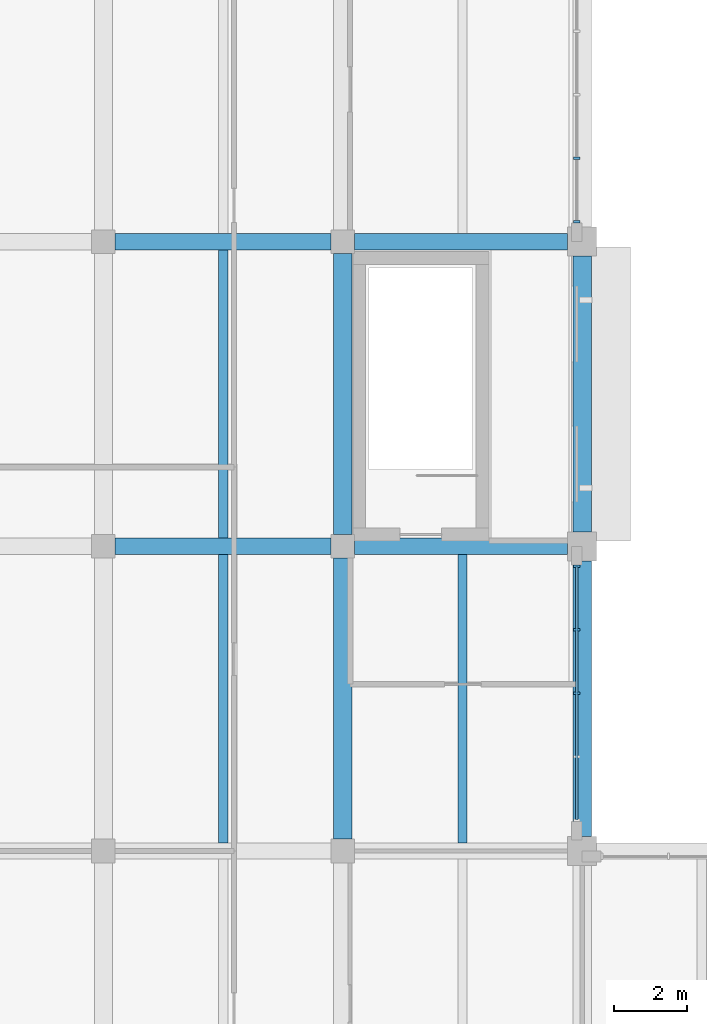
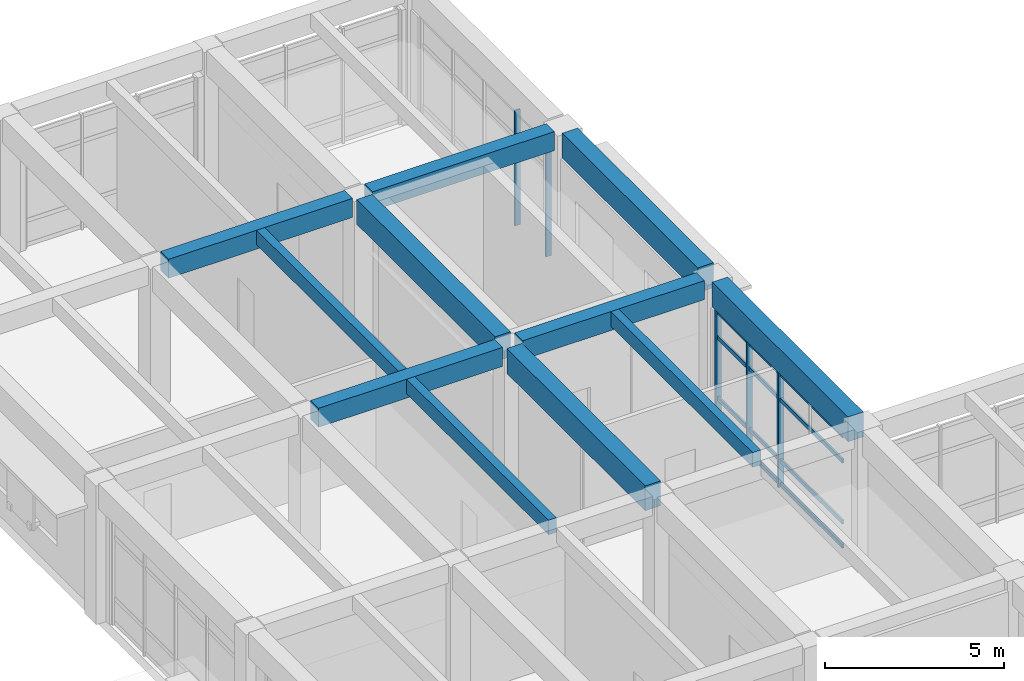
# One storey, part 30 of 79: 11 beams, 9 members, 2 elements without a shape of their own.
"""IFC4 building model written with IfcOpenShell, lengths in metres."""

from ifc_helpers import new_model, si_unit, direction, frame, origin, origin_2d, place, context, subcontext, project, spatial, rectangle, extrude, material, layer, layer_set, material_profile, profile_set, type_object, element, aggregate, save


model = new_model("IFC4")

# Units and contexts
model_context = context("Model", 3, precision=1e-05, world=origin(), true_north=direction((0.0, 1.0)))
body_context = subcontext(model_context, "Body", "Model", "MODEL_VIEW")
ifc_project = project(units=[si_unit("LENGTHUNIT", "METRE"), si_unit("AREAUNIT", "SQUARE_METRE"), si_unit("VOLUMEUNIT", "CUBIC_METRE"), si_unit("PLANEANGLEUNIT", "RADIAN"), si_unit("MASSUNIT", "GRAM", prefix="KILO")], contexts=[model_context])

# Site, building, storey
site_placement = place(None, origin())
site = spatial("IfcSite", under=ifc_project, at=site_placement, CompositionType="ELEMENT")
building_placement = place(site_placement, origin())
building = spatial("IfcBuilding", under=site, at=building_placement, Name="Kolvaren Faculty of Natural Sciences", CompositionType="ELEMENT")
storey_placement = place(building_placement, frame((0.0, 0.0, 10.199951171875)))
storey = spatial("IfcBuildingStorey", under=building, at=storey_placement, Name="L02", CompositionType="ELEMENT", Elevation=10.199951171875)

# Curtain wall, members
ifc_material_1 = material(Name="Thermally broken anodised aluminium framing", Category="aluminium")
ifc_layer = layer(ifc_material_1, 0.179931640625)
ifc_layer_set = layer_set([ifc_layer], Name="Thermally broken anodised aluminium framing")
curtain_wall_type = type_object("IfcCurtainWallType", Name="TowerNorthCurtainWall_CW03", PredefinedType="NOTDEFINED", material=ifc_layer_set)
curtain_wall_1_placement = place(storey_placement, origin())
curtain_wall_1 = element("IfcCurtainWall", 1, at=curtain_wall_1_placement, inside=storey, type_object=curtain_wall_type, Name="L02 unitised curtain wall CW-03 (CW-L02-095)", PredefinedType="NOTDEFINED")
ifc_material_profile_1 = material_profile(ifc_material_1, rectangle(XDim=0.06005859375, YDim=0.179931640625, at=origin_2d()), Name="ALU MUL 60x180")
ifc_profile_set_1 = profile_set([ifc_material_profile_1], Name="Thermally broken anodised aluminium framing")
member_type_1 = type_object("IfcMemberType", Name="CurtainMullion_60x180", PredefinedType="MULLION", material=ifc_profile_set_1)
member_1_placement = place(storey_placement, frame((138.64990234375, 103.300048828125, 0.0), z_axis=(0.0, 0.0, 1.0), x_axis=(0.0, -1.0, 0.0)))
member_1 = element("IfcMember", 2, at=member_1_placement, type_object=member_type_1, Name="CW-L02-095 vertical mullion 4", PredefinedType="MULLION", context=body_context, shape_type="SweptSolid", body=[
    extrude(rectangle(XDim=0.06005859375, YDim=0.179931640625, at=origin_2d()), origin(), (0.0, 0.0, 1.0), 3.93505859375),
])
member_2_placement = place(storey_placement, frame((138.64990234375, 101.550048828125, 0.0), z_axis=(0.0, 0.0, 1.0), x_axis=(0.0, -1.0, 0.0)))
member_2 = element("IfcMember", 3, at=member_2_placement, type_object=member_type_1, Name="CW-L02-095 vertical mullion 5", PredefinedType="MULLION", context=body_context, shape_type="SweptSolid", body=[
    extrude(rectangle(XDim=0.06005859375, YDim=0.179931640625, at=origin_2d()), origin(), (0.0, 0.0, 1.0), 3.93505859375),
])
aggregate(curtain_wall_1, [member_1, member_2])

curtain_wall_2_placement = place(storey_placement, origin())
curtain_wall_2 = element("IfcCurtainWall", 4, at=curtain_wall_2_placement, inside=storey, type_object=curtain_wall_type, Name="L02 unitised curtain wall CW-03 (CW-L02-096)", PredefinedType="NOTDEFINED")
member_3_placement = place(storey_placement, frame((138.64990234375, 92.050048828125, 0.0), z_axis=(0.0, 0.0, 1.0), x_axis=(0.0, -1.0, 0.0)))
member_3 = element("IfcMember", 5, at=member_3_placement, type_object=member_type_1, Name="CW-L02-096 vertical mullion 1", PredefinedType="MULLION", context=body_context, shape_type="SweptSolid", body=[
    extrude(rectangle(XDim=0.06005859375, YDim=0.179931640625, at=origin_2d()), origin(), (0.0, 0.0, 1.0), 3.93505859375),
])
member_4_placement = place(storey_placement, frame((138.64990234375, 90.300048828125, 0.0), z_axis=(0.0, 0.0, 1.0), x_axis=(0.0, -1.0, 0.0)))
member_4 = element("IfcMember", 6, at=member_4_placement, type_object=member_type_1, Name="CW-L02-096 vertical mullion 2", PredefinedType="MULLION", context=body_context, shape_type="SweptSolid", body=[
    extrude(rectangle(XDim=0.06005859375, YDim=0.179931640625, at=origin_2d()), origin(), (0.0, 0.0, 1.0), 3.93505859375),
])
member_5_placement = place(storey_placement, frame((138.64990234375, 88.550048828125, 0.0), z_axis=(0.0, 0.0, 1.0), x_axis=(0.0, -1.0, 0.0)))
member_5 = element("IfcMember", 7, at=member_5_placement, type_object=member_type_1, Name="CW-L02-096 vertical mullion 3", PredefinedType="MULLION", context=body_context, shape_type="SweptSolid", body=[
    extrude(rectangle(XDim=0.06005859375, YDim=0.179931640625, at=origin_2d()), origin(), (0.0, 0.0, 1.0), 3.93505859375),
])
ifc_material_profile_2 = material_profile(ifc_material_1, rectangle(XDim=0.06005859375, YDim=0.139892578125, at=origin_2d()), Name="ALU TRN 60x140")
ifc_profile_set_2 = profile_set([ifc_material_profile_2], Name="Thermally broken anodised aluminium framing")
member_type_2 = type_object("IfcMemberType", Name="CurtainTransom_60x140", PredefinedType="USERDEFINED", material=ifc_profile_set_2)
member_6_placement = place(storey_placement, frame((138.64990234375, 92.050048828125, 0.080078125), z_axis=(0.0, -1.0, 0.0), x_axis=(1.0, 0.0, 0.0)))
member_6 = element("IfcMember", 8, at=member_6_placement, type_object=member_type_2, Name="CW-L02-096 horizontal transom 1", ObjectType="TRANSOM", PredefinedType="USERDEFINED", context=body_context, shape_type="SweptSolid", body=[
    extrude(rectangle(XDim=0.06005859375, YDim=0.139892578125, at=origin_2d()), origin(), (0.0, 0.0, 1.0), 7.0),
])
member_7_placement = place(storey_placement, frame((138.64990234375, 92.050048828125, 0.900146484375), z_axis=(0.0, -1.0, 0.0), x_axis=(1.0, 0.0, 0.0)))
member_7 = element("IfcMember", 9, at=member_7_placement, type_object=member_type_2, Name="CW-L02-096 horizontal transom 2", ObjectType="TRANSOM", PredefinedType="USERDEFINED", context=body_context, shape_type="SweptSolid", body=[
    extrude(rectangle(XDim=0.06005859375, YDim=0.139892578125, at=origin_2d()), origin(), (0.0, 0.0, 1.0), 7.0),
])
member_8_placement = place(storey_placement, frame((138.64990234375, 92.050048828125, 2.985107421875), z_axis=(0.0, -1.0, 0.0), x_axis=(1.0, 0.0, 0.0)))
member_8 = element("IfcMember", 10, at=member_8_placement, type_object=member_type_2, Name="CW-L02-096 horizontal transom 3", ObjectType="TRANSOM", PredefinedType="USERDEFINED", context=body_context, shape_type="SweptSolid", body=[
    extrude(rectangle(XDim=0.06005859375, YDim=0.139892578125, at=origin_2d()), origin(), (0.0, 0.0, 1.0), 7.0),
])
member_9_placement = place(storey_placement, frame((138.64990234375, 92.050048828125, 3.85498046875), z_axis=(0.0, -1.0, 0.0), x_axis=(1.0, 0.0, 0.0)))
member_9 = element("IfcMember", 11, at=member_9_placement, type_object=member_type_2, Name="CW-L02-096 horizontal transom 4", ObjectType="TRANSOM", PredefinedType="USERDEFINED", context=body_context, shape_type="SweptSolid", body=[
    extrude(rectangle(XDim=0.06005859375, YDim=0.139892578125, at=origin_2d()), origin(), (0.0, 0.0, 1.0), 7.0),
])
aggregate(curtain_wall_2, [member_3, member_4, member_5, member_6, member_7, member_8, member_9])

# Beams
ifc_material_2 = material(Name="Concrete C35/45", Category="concrete")
ifc_material_profile_3 = material_profile(ifc_material_2, rectangle(XDim=0.449951171875, YDim=0.64990234375, at=origin_2d()), Name="RC BM 450x650")
ifc_profile_set_3 = profile_set([ifc_material_profile_3], Name="Concrete C35/45")
beam_type_1 = type_object("IfcBeamType", Name="GridBeam_450x650", PredefinedType="BEAM", material=ifc_profile_set_3)
beam_1_placement = place(storey_placement, frame((125.925048828125, 92.60009765625, 4.47509765625), z_axis=(1.0, 0.0, 0.0), x_axis=(0.0, 1.0, 0.0)))
element("IfcBeam", 12, at=beam_1_placement, inside=storey, type_object=beam_type_1, Name="L02 beam BM-65 on grid M", PredefinedType="BEAM", context=body_context, shape_type="SweptSolid", body=[
    extrude(rectangle(XDim=0.449951171875, YDim=0.64990234375, at=origin_2d()), origin(), (0.0, 0.0, 1.0), 5.949951171875),
])
beam_2_placement = place(storey_placement, frame((132.52490234375, 92.60009765625, 4.47509765625), z_axis=(1.0, 0.0, 0.0), x_axis=(0.0, 1.0, 0.0)))
element("IfcBeam", 13, at=beam_2_placement, inside=storey, type_object=beam_type_1, Name="L02 beam BM-65 on grid M", PredefinedType="BEAM", context=body_context, shape_type="SweptSolid", body=[
    extrude(rectangle(XDim=0.449951171875, YDim=0.64990234375, at=origin_2d()), origin(), (0.0, 0.0, 1.0), 5.875),
])
beam_3_placement = place(storey_placement, frame((125.925048828125, 101.0, 4.47509765625), z_axis=(1.0, 0.0, 0.0), x_axis=(0.0, 1.0, 0.0)))
element("IfcBeam", 14, at=beam_3_placement, inside=storey, type_object=beam_type_1, Name="L02 beam BM-65 on grid N", PredefinedType="BEAM", context=body_context, shape_type="SweptSolid", body=[
    extrude(rectangle(XDim=0.449951171875, YDim=0.64990234375, at=origin_2d()), origin(), (0.0, 0.0, 1.0), 5.949951171875),
])
beam_4_placement = place(storey_placement, frame((132.52490234375, 101.0, 4.47509765625), z_axis=(1.0, 0.0, 0.0), x_axis=(0.0, 1.0, 0.0)))
element("IfcBeam", 15, at=beam_4_placement, inside=storey, type_object=beam_type_1, Name="L02 beam BM-65 on grid N", PredefinedType="BEAM", context=body_context, shape_type="SweptSolid", body=[
    extrude(rectangle(XDim=0.449951171875, YDim=0.64990234375, at=origin_2d()), origin(), (0.0, 0.0, 1.0), 5.875),
])
ifc_material_profile_4 = material_profile(ifc_material_2, rectangle(XDim=0.260009765625, YDim=0.5, at=origin_2d()), Name="RC JST 260x500")
ifc_profile_set_4 = profile_set([ifc_material_profile_4], Name="Concrete C35/45")
beam_type_2 = type_object("IfcBeamType", Name="LabRibJoist_260x500", PredefinedType="JOIST", material=ifc_profile_set_4)
for number, where, z_axis, x_axis, name in (
    (16, (128.89990234375, 84.425048828125, 4.550048828125), (0.0, 1.0, 0.0), (-1.0, 0.0, 0.0), "L02 ribbed laboratory slab joist JS-50"),
    (17, (128.89990234375, 92.824951171875, 4.550048828125), (0.0, 1.0, 0.0), (-1.0, 0.0, 0.0), "L02 ribbed laboratory slab joist JS-50"),
    (18, (135.5, 84.425048828125, 4.550048828125), (0.0, 1.0, 0.0), (-1.0, 0.0, 0.0), "L02 ribbed laboratory slab joist JS-50"),
):
    element("IfcBeam", number, at=place(storey_placement, frame(where, z_axis=z_axis, x_axis=x_axis)), inside=storey, type_object=beam_type_2, Name=name, PredefinedType="JOIST", context=body_context, shape_type="SweptSolid", body=[
        extrude(rectangle(XDim=0.260009765625, YDim=0.5, at=origin_2d()), origin(), (0.0, 0.0, 1.0), 7.949951171875),
    ])
ifc_material_profile_5 = material_profile(ifc_material_2, rectangle(XDim=0.5, YDim=0.85009765625, at=origin_2d()), Name="RC BM 500x850")
ifc_profile_set_5 = profile_set([ifc_material_profile_5], Name="Concrete C35/45")
beam_type_3 = type_object("IfcBeamType", Name="PrimaryGirder_500x850", PredefinedType="BEAM", material=ifc_profile_set_5)
for number, where, z_axis, x_axis, name in (
    (19, (132.199951171875, 84.52490234375, 4.375), (0.0, 1.0, 0.0), (-1.0, 0.0, 0.0), "L02 girder BG-85 on grid 21"),
    (20, (132.199951171875, 92.925048828125, 4.375), (0.0, 1.0, 0.0), (-1.0, 0.0, 0.0), "L02 girder BG-85 on grid 21"),
):
    element("IfcBeam", number, at=place(storey_placement, frame(where, z_axis=z_axis, x_axis=x_axis)), inside=storey, type_object=beam_type_3, Name=name, PredefinedType="BEAM", context=body_context, shape_type="SweptSolid", body=[
        extrude(rectangle(XDim=0.5, YDim=0.85009765625, at=origin_2d()), origin(), (0.0, 0.0, 1.0), 7.75),
    ])
beam_5_placement = place(storey_placement, frame((138.800048828125, 84.60009765625, 4.375), z_axis=(0.0, 1.0, 0.0), x_axis=(-1.0, 0.0, 0.0)))
element("IfcBeam", 21, at=beam_5_placement, inside=storey, type_object=beam_type_3, Name="L02 girder BG-85 on grid 22", PredefinedType="BEAM", context=body_context, shape_type="SweptSolid", body=[
    extrude(rectangle(XDim=0.5, YDim=0.85009765625, at=origin_2d()), origin(), (0.0, 0.0, 1.0), 7.599853515625),
])
beam_6_placement = place(storey_placement, frame((138.800048828125, 93.0, 4.375), z_axis=(0.0, 1.0, 0.0), x_axis=(-1.0, 0.0, 0.0)))
element("IfcBeam", 22, at=beam_6_placement, inside=storey, type_object=beam_type_3, Name="L02 girder BG-85 on grid 22", PredefinedType="BEAM", context=body_context, shape_type="SweptSolid", body=[
    extrude(rectangle(XDim=0.5, YDim=0.85009765625, at=origin_2d()), origin(), (0.0, 0.0, 1.0), 7.60009765625),
])

save(model, "model.ifc")
